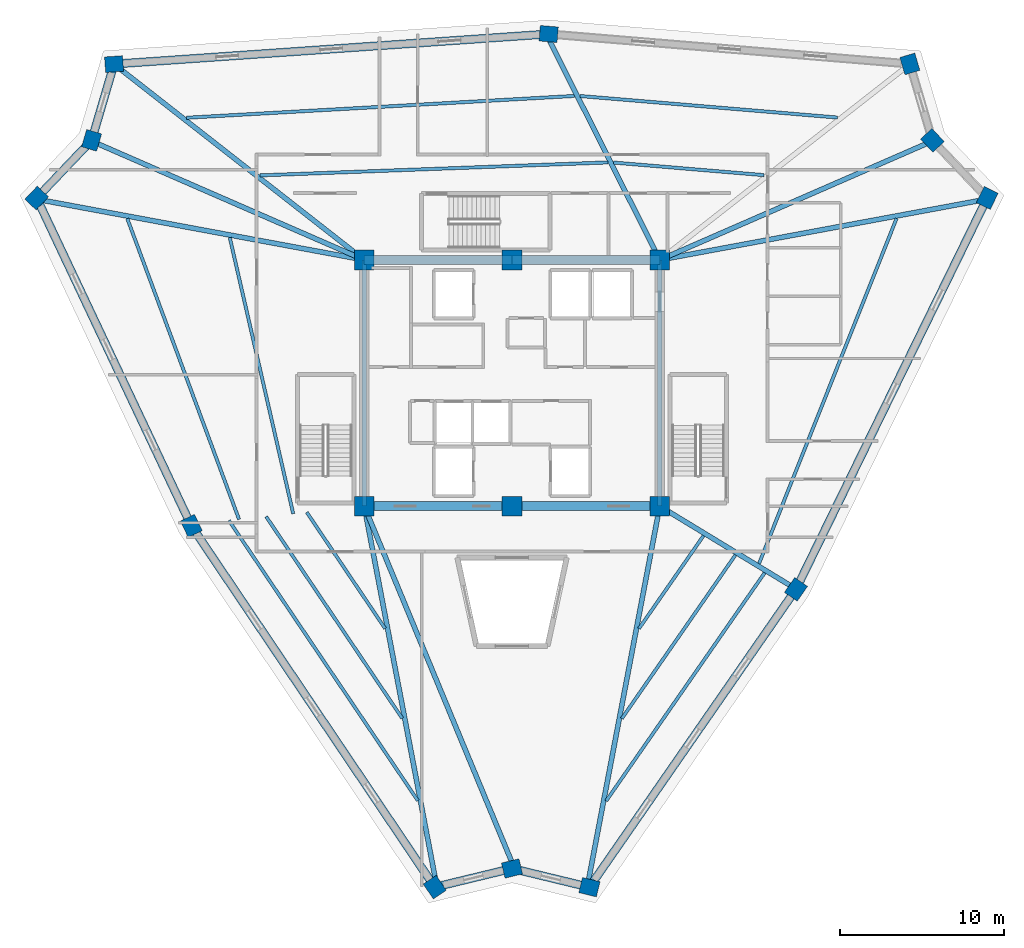
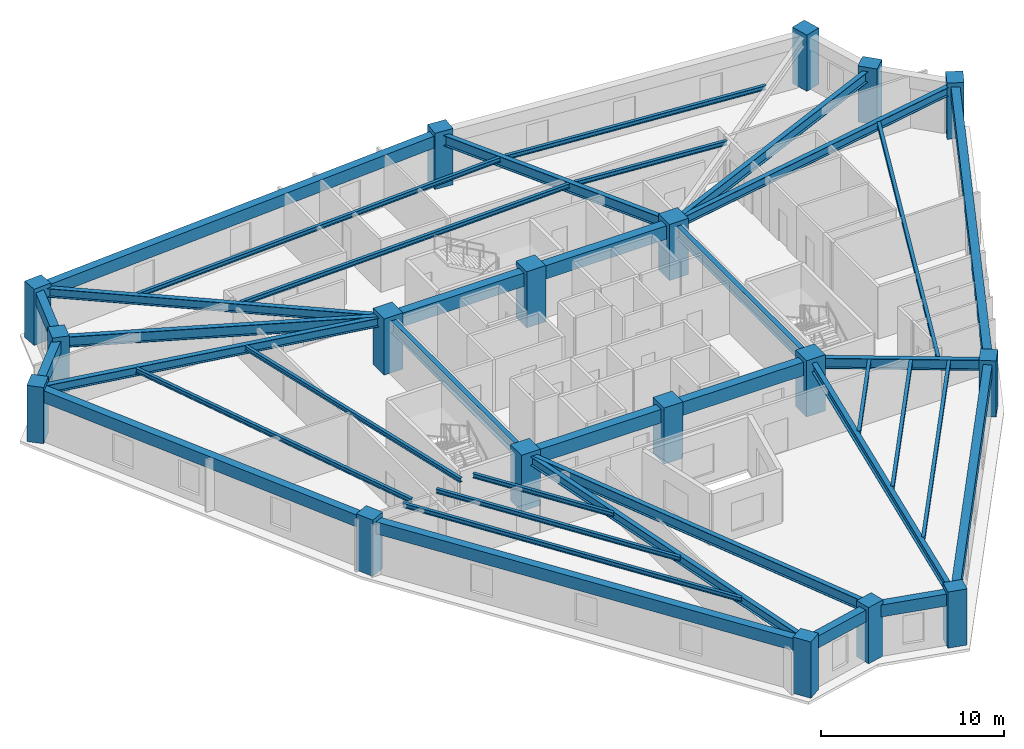
# One storey, part 1 of 8: 38 beams, 18 columns.
"""IFC4 building model written with IfcOpenShell, lengths in metres."""

from ifc_helpers import new_model, si_unit, direction, frame, origin, origin_2d, place, context, subcontext, project, spatial, rectangle, i_section, extrude, source, transform, mapped, material, material_profile, profile_set, type_object, element, save


model = new_model("IFC4")

# Units and contexts
model_context = context("Model", 3, precision=1e-05, world=origin(), true_north=direction((0.0, 1.0)))
body_context = subcontext(model_context, "Body", "Model", "MODEL_VIEW")
ifc_project = project(units=[si_unit("LENGTHUNIT", "METRE"), si_unit("AREAUNIT", "SQUARE_METRE"), si_unit("VOLUMEUNIT", "CUBIC_METRE"), si_unit("PLANEANGLEUNIT", "RADIAN"), si_unit("MASSUNIT", "GRAM", prefix="KILO")], contexts=[model_context])

# Site, building, storey
site_placement = place(None, origin())
site = spatial("IfcSite", under=ifc_project, at=site_placement, CompositionType="ELEMENT")
building_placement = place(site_placement, origin())
building = spatial("IfcBuilding", under=site, at=building_placement, Name="Liaohun Quay Tower", CompositionType="ELEMENT")
storey_placement = place(building_placement, frame((0.0, 0.0, 347.25)))
storey = spatial("IfcBuildingStorey", under=building, at=storey_placement, Name="L90", CompositionType="ELEMENT", Elevation=347.25)

# Columns
ifc_material_1 = material(Name="Concrete C50", Category="concrete")
ifc_material_profile_1 = material_profile(ifc_material_1, rectangle(XDim=1.199951171875, YDim=1.199951171875, at=origin_2d()), Name="RC1200x1200")
ifc_profile_set_1 = profile_set([ifc_material_profile_1], Name="Concrete C50")
column_type_1 = type_object("IfcColumnType", Name="COL-CC-Z4", PredefinedType="COLUMN", material=ifc_profile_set_1)
shared_shape_1 = source(origin(), body_context, "Body", "SweptSolid", [
    extrude(rectangle(XDim=1.199951171875, YDim=1.199951171875, at=origin_2d()), origin(), (0.0, 0.0, 1.0), 3.75),
])
for number, where, z_axis, x_axis, name in (
    (1, (51.0, 46.5, 0.0), (0.0, 0.0, 1.0), (1.0, 0.0, 0.0), "L90 Core Column CC1"),
    (2, (60.0, 46.5, 0.0), (0.0, 0.0, 1.0), (1.0, 0.0, 0.0), "L90 Core Column CC2"),
    (3, (69.0, 46.5, 0.0), (0.0, 0.0, 1.0), (1.0, 0.0, 0.0), "L90 Core Column CC3"),
    (4, (69.0, 61.5, 0.0), (0.0, 0.0, 1.0), (1.0, 0.0, 0.0), "L90 Core Column CC4"),
    (5, (60.0, 61.5, 0.0), (0.0, 0.0, 1.0), (1.0, 0.0, 0.0), "L90 Core Column CC5"),
    (6, (51.0, 61.5, 0.0), (0.0, 0.0, 1.0), (1.0, 0.0, 0.0), "L90 Core Column CC6"),
):
    element("IfcColumn", number, at=place(storey_placement, frame(where, z_axis=z_axis, x_axis=x_axis)), inside=storey, type_object=column_type_1, Name=name, PredefinedType="COLUMN", context=body_context, shape_type="MappedRepresentation", body=[
        mapped(shared_shape_1, transform((0.0, 0.0, 0.0), x_axis=(1.0, 0.0, 0.0), y_axis=(0.0, 1.0, 0.0), z_axis=(0.0, 0.0, 1.0), scale=1.0)),
    ])
ifc_material_profile_2 = material_profile(ifc_material_1, rectangle(XDim=1.10009765625, YDim=0.949951171875, at=origin_2d()), Name="RC1100x950")
ifc_profile_set_2 = profile_set([ifc_material_profile_2], Name="Concrete C50")
column_type_2 = type_object("IfcColumnType", Name="COL-PIER-Z4", PredefinedType="COLUMN", material=ifc_profile_set_2)
shared_shape_2 = source(origin(), body_context, "Body", "SweptSolid", [
    extrude(rectangle(XDim=1.10009765625, YDim=0.949951171875, at=origin_2d()), origin(), (0.0, 0.0, 1.0), 3.75),
])
for number, where, z_axis, x_axis, name in (
    (7, (55.29296875, 23.2939453125, 0.0), (0.0, 0.0, 1.0), (-0.558613989835, 0.829427760785, 0.0), "L90 Perimeter Pier PC01"),
    (8, (40.468994140625, 45.302978515625, 0.0), (0.0, 0.0, 1.0), (-0.426726590606, 0.904380681389, 0.0), "L90 Perimeter Pier PC02"),
    (9, (31.048095703125, 65.27001953125, 0.0), (0.0, 0.0, 1.0), (0.689493141399, 0.724292211723, 0.0), "L90 Perimeter Pier PC03"),
    (10, (34.39306640625, 68.783935546875, 0.0), (0.0, 0.0, 1.0), (0.282676303383, 0.959215360337, 0.0), "L90 Perimeter Pier PC04"),
    (11, (35.761962890625, 73.429931640625, 0.0), (0.0, 0.0, 1.0), (0.997612506361, 0.069060025714, 0.0), "L90 Perimeter Pier PC05"),
    (12, (62.23388671875, 75.262939453125, 0.0), (0.0, 0.0, 1.0), (-0.996579940078, 0.08263427276, 0.0), "L90 Perimeter Pier PC06"),
    (13, (84.235107421875, 73.43798828125, 0.0), (0.0, 0.0, 1.0), (-0.282676303383, 0.959215360337, 0.0), "L90 Perimeter Pier PC07"),
    (14, (85.60693359375, 68.783935546875, 0.0), (0.0, 0.0, 1.0), (-0.689493141399, 0.724292211723, 0.0), "L90 Perimeter Pier PC08"),
    (15, (88.946044921875, 65.27587890625, 0.0), (0.0, 0.0, 1.0), (0.438998516526, 0.898487786499, 0.0), "L90 Perimeter Pier PC09"),
    (16, (77.297119140625, 41.43408203125, 0.0), (0.0, 0.0, 1.0), (0.569853349472, 0.82174640863, 0.0), "L90 Perimeter Pier PC10"),
    (17, (64.715087890625, 23.2919921875, 0.0), (0.0, 0.0, 1.0), (-0.972043021443, 0.234802820391, 0.0), "L90 Perimeter Pier PC11"),
    (18, (60.0, 24.430908203125, 0.0), (0.0, 0.0, 1.0), (0.972043021443, 0.234802820391, 0.0), "L90 Perimeter Pier PC12"),
):
    element("IfcColumn", number, at=place(storey_placement, frame(where, z_axis=z_axis, x_axis=x_axis)), inside=storey, type_object=column_type_2, Name=name, PredefinedType="COLUMN", context=body_context, shape_type="MappedRepresentation", body=[
        mapped(shared_shape_2, transform((0.0, 0.0, 0.0), x_axis=(1.0, 0.0, 0.0), y_axis=(0.0, 1.0, 0.0), z_axis=(0.0, 0.0, 1.0), scale=1.0)),
    ])

# Beams
ifc_material_2 = material(Name="Steel Q355D", Category="steel")
ifc_material_profile_3 = material_profile(ifc_material_2, i_section(OverallWidth=0.300048828125, OverallDepth=0.800048828125, WebThickness=0.013916015625, FlangeThickness=0.02587890625, at=origin_2d()), Name="HN800x300x14x26")
ifc_profile_set_3 = profile_set([ifc_material_profile_3], Name="Steel Q355D")
beam_type_1 = type_object("IfcBeamType", Name="BM-RAD-M1", PredefinedType="BEAM", material=ifc_profile_set_3)
shared_shape_3 = source(origin(), body_context, "Body", "SweptSolid", [
    extrude(i_section(OverallWidth=0.300048828125, OverallDepth=0.800048828125, WebThickness=0.013916015625, FlangeThickness=0.02587890625, at=origin_2d()), origin(), (0.0, 0.0, 1.0), 15.0),
])
for number, where, z_axis, x_axis, name in (
    (19, (69.0, 46.5, 3.070068359375), (0.0, 1.0, 0.0), (-1.0, 0.0, 0.0), "L90 Core Coupling/Ring Beam CC3-CC4"),
    (20, (51.0, 61.5, 3.070068359375), (0.0, -1.0, 0.0), (1.0, 0.0, 0.0), "L90 Core Coupling/Ring Beam CC6-CC1"),
):
    element("IfcBeam", number, at=place(storey_placement, frame(where, z_axis=z_axis, x_axis=x_axis)), inside=storey, type_object=beam_type_1, Name=name, PredefinedType="BEAM", context=body_context, shape_type="MappedRepresentation", body=[
        mapped(shared_shape_3, transform((0.0, 0.0, 0.0), x_axis=(1.0, 0.0, 0.0), y_axis=(0.0, 1.0, 0.0), z_axis=(0.0, 0.0, 1.0), scale=1.0)),
    ])
ifc_material_3 = material(Name="Concrete C55", Category="concrete")
ifc_material_profile_4 = material_profile(ifc_material_3, rectangle(XDim=0.550048828125, YDim=0.89990234375, at=origin_2d()), Name="RC550x900")
ifc_profile_set_4 = profile_set([ifc_material_profile_4], Name="Concrete C55")
beam_type_2 = type_object("IfcBeamType", Name="BM-CPL-2", PredefinedType="LINTEL", material=ifc_profile_set_4)
shared_shape_4 = source(origin(), body_context, "Body", "SweptSolid", [
    extrude(rectangle(XDim=0.550048828125, YDim=0.89990234375, at=origin_2d()), origin(), (0.0, 0.0, 1.0), 9.0),
])
for number, where, z_axis, x_axis, name in (
    (21, (51.0, 46.5, 3.02001953125), (1.0, 0.0, 0.0), (0.0, 1.0, 0.0), "L90 Core Coupling/Ring Beam CC1-CC2"),
    (22, (60.0, 46.5, 3.02001953125), (1.0, 0.0, 0.0), (0.0, 1.0, 0.0), "L90 Core Coupling/Ring Beam CC2-CC3"),
    (23, (69.0, 61.5, 3.02001953125), (-1.0, 0.0, 0.0), (0.0, -1.0, 0.0), "L90 Core Coupling/Ring Beam CC4-CC5"),
    (24, (60.0, 61.5, 3.02001953125), (-1.0, 0.0, 0.0), (0.0, -1.0, 0.0), "L90 Core Coupling/Ring Beam CC5-CC6"),
):
    element("IfcBeam", number, at=place(storey_placement, frame(where, z_axis=z_axis, x_axis=x_axis)), inside=storey, type_object=beam_type_2, Name=name, PredefinedType="LINTEL", context=body_context, shape_type="MappedRepresentation", body=[
        mapped(shared_shape_4, transform((0.0, 0.0, 0.0), x_axis=(1.0, 0.0, 0.0), y_axis=(0.0, 1.0, 0.0), z_axis=(0.0, 0.0, 1.0), scale=1.0)),
    ])
ifc_material_4 = material(Name="Precast concrete C50", Category="concrete")
ifc_material_profile_5 = material_profile(ifc_material_4, rectangle(XDim=0.5, YDim=0.800048828125, at=origin_2d()), Name="RC500x800")
ifc_profile_set_5 = profile_set([ifc_material_profile_5], Name="Precast concrete C50")
beam_type_3 = type_object("IfcBeamType", Name="BM-SPD-Z4", PredefinedType="SPANDREL", material=ifc_profile_set_5)
shared_shape_5 = source(origin(), body_context, "Body", "SweptSolid", [
    extrude(rectangle(XDim=0.5, YDim=0.800048828125, at=origin_2d()), origin(), (0.0, 0.0, 1.0), 26.535888671875),
])
beam_1_placement = place(storey_placement, frame((55.29296875, 23.2939453125, 3.070068359375), z_axis=(-0.558640939792, 0.829409609534, 0.0), x_axis=(-0.829409609534, -0.558640939792, 0.0)))
element("IfcBeam", 25, at=beam_1_placement, inside=storey, type_object=beam_type_3, Name="L90 Precast Spandrel Beam PC01-PC02", PredefinedType="SPANDREL", context=body_context, shape_type="MappedRepresentation", body=[
    mapped(shared_shape_5, transform((0.0, 0.0, 0.0), x_axis=(1.0, 0.0, 0.0), y_axis=(0.0, 1.0, 0.0), z_axis=(0.0, 0.0, 1.0), scale=1.0)),
])
shared_shape_6 = source(origin(), body_context, "Body", "SweptSolid", [
    extrude(rectangle(XDim=0.5, YDim=0.800048828125, at=origin_2d()), origin(), (0.0, 0.0, 1.0), 22.077880859375),
])
beam_2_placement = place(storey_placement, frame((40.468994140625, 45.302978515625, 3.070068359375), z_axis=(-0.426710664555, 0.904388195829, 0.0), x_axis=(-0.904388195829, -0.426710664555, 0.0)))
element("IfcBeam", 26, at=beam_2_placement, inside=storey, type_object=beam_type_3, Name="L90 Precast Spandrel Beam PC02-PC03", PredefinedType="SPANDREL", context=body_context, shape_type="MappedRepresentation", body=[
    mapped(shared_shape_6, transform((0.0, 0.0, 0.0), x_axis=(1.0, 0.0, 0.0), y_axis=(0.0, 1.0, 0.0), z_axis=(0.0, 0.0, 1.0), scale=1.0)),
])
shared_shape_7 = source(origin(), body_context, "Body", "SweptSolid", [
    extrude(rectangle(XDim=0.5, YDim=0.800048828125, at=origin_2d()), origin(), (0.0, 0.0, 1.0), 4.851318359375),
])
beam_3_placement = place(storey_placement, frame((31.048095703125, 65.27001953125, 3.070068359375), z_axis=(0.689480486578, 0.724304258325, 0.0), x_axis=(-0.724304258325, 0.689480486578, 0.0)))
element("IfcBeam", 27, at=beam_3_placement, inside=storey, type_object=beam_type_3, Name="L90 Precast Spandrel Beam PC03-PC04", PredefinedType="SPANDREL", context=body_context, shape_type="MappedRepresentation", body=[
    mapped(shared_shape_7, transform((0.0, 0.0, 0.0), x_axis=(1.0, 0.0, 0.0), y_axis=(0.0, 1.0, 0.0), z_axis=(0.0, 0.0, 1.0), scale=1.0)),
])
shared_shape_8 = source(origin(), body_context, "Body", "SweptSolid", [
    extrude(rectangle(XDim=0.5, YDim=0.800048828125, at=origin_2d()), origin(), (0.0, 0.0, 1.0), 4.843505859375),
])
beam_4_placement = place(storey_placement, frame((34.39306640625, 68.783935546875, 3.070068359375), z_axis=(0.282627491947, 0.95922974349, 0.0), x_axis=(-0.95922974349, 0.282627491947, 0.0)))
element("IfcBeam", 28, at=beam_4_placement, inside=storey, type_object=beam_type_3, Name="L90 Precast Spandrel Beam PC04-PC05", PredefinedType="SPANDREL", context=body_context, shape_type="MappedRepresentation", body=[
    mapped(shared_shape_8, transform((0.0, 0.0, 0.0), x_axis=(1.0, 0.0, 0.0), y_axis=(0.0, 1.0, 0.0), z_axis=(0.0, 0.0, 1.0), scale=1.0)),
])
shared_shape_9 = source(origin(), body_context, "Body", "SweptSolid", [
    extrude(rectangle(XDim=0.5, YDim=0.800048828125, at=origin_2d()), origin(), (0.0, 0.0, 1.0), 26.535400390625),
])
for number, where, z_axis, x_axis, name in (
    (29, (35.761962890625, 73.429931640625, 3.070068359375), (0.997611257543, 0.069078063264, 0.0), (-0.069078063264, 0.997611257543, 0.0), "L90 Precast Spandrel Beam PC05-PC06"),
    (30, (88.946044921875, 65.27587890625, 3.070068359375), (-0.438995268707, -0.898489373367, 0.0), (0.898489373367, -0.438995268707, 0.0), "L90 Precast Spandrel Beam PC09-PC10"),
):
    element("IfcBeam", number, at=place(storey_placement, frame(where, z_axis=z_axis, x_axis=x_axis)), inside=storey, type_object=beam_type_3, Name=name, PredefinedType="SPANDREL", context=body_context, shape_type="MappedRepresentation", body=[
        mapped(shared_shape_9, transform((0.0, 0.0, 0.0), x_axis=(1.0, 0.0, 0.0), y_axis=(0.0, 1.0, 0.0), z_axis=(0.0, 0.0, 1.0), scale=1.0)),
    ])
shared_shape_10 = source(origin(), body_context, "Body", "SweptSolid", [
    extrude(rectangle(XDim=0.5, YDim=0.800048828125, at=origin_2d()), origin(), (0.0, 0.0, 1.0), 22.078125),
])
beam_5_placement = place(storey_placement, frame((77.297119140625, 41.43408203125, 3.070068359375), z_axis=(-0.569887156963, -0.821722963248, 0.0), x_axis=(0.821722963248, -0.569887156963, 0.0)))
element("IfcBeam", 31, at=beam_5_placement, inside=storey, type_object=beam_type_3, Name="L90 Precast Spandrel Beam PC10-PC11", PredefinedType="SPANDREL", context=body_context, shape_type="MappedRepresentation", body=[
    mapped(shared_shape_10, transform((0.0, 0.0, 0.0), x_axis=(1.0, 0.0, 0.0), y_axis=(0.0, 1.0, 0.0), z_axis=(0.0, 0.0, 1.0), scale=1.0)),
])
shared_shape_11 = source(origin(), body_context, "Body", "SweptSolid", [
    extrude(rectangle(XDim=0.5, YDim=0.800048828125, at=origin_2d()), origin(), (0.0, 0.0, 1.0), 4.8505859375),
])
beam_6_placement = place(storey_placement, frame((64.715087890625, 23.2919921875, 3.070068359375), z_axis=(-0.972044985249, 0.234794690425, 0.0), x_axis=(-0.234794690425, -0.972044985249, 0.0)))
element("IfcBeam", 32, at=beam_6_placement, inside=storey, type_object=beam_type_3, Name="L90 Precast Spandrel Beam PC11-PC12", PredefinedType="SPANDREL", context=body_context, shape_type="MappedRepresentation", body=[
    mapped(shared_shape_11, transform((0.0, 0.0, 0.0), x_axis=(1.0, 0.0, 0.0), y_axis=(0.0, 1.0, 0.0), z_axis=(0.0, 0.0, 1.0), scale=1.0)),
])
shared_shape_12 = source(origin(), body_context, "Body", "SweptSolid", [
    extrude(rectangle(XDim=0.5, YDim=0.800048828125, at=origin_2d()), origin(), (0.0, 0.0, 1.0), 4.84228515625),
])
beam_7_placement = place(storey_placement, frame((60.0, 24.430908203125, 3.070068359375), z_axis=(-0.972045318303, -0.234793311584, 0.0), x_axis=(0.234793311584, -0.972045318303, 0.0)))
element("IfcBeam", 33, at=beam_7_placement, inside=storey, type_object=beam_type_3, Name="L90 Precast Spandrel Beam PC12-PC01", PredefinedType="SPANDREL", context=body_context, shape_type="MappedRepresentation", body=[
    mapped(shared_shape_12, transform((0.0, 0.0, 0.0), x_axis=(1.0, 0.0, 0.0), y_axis=(0.0, 1.0, 0.0), z_axis=(0.0, 0.0, 1.0), scale=1.0)),
])
ifc_material_profile_6 = material_profile(ifc_material_2, i_section(OverallWidth=0.300048828125, OverallDepth=0.587890625, WebThickness=0.011962890625, FlangeThickness=0.02001953125, at=origin_2d()), Name="HM588x300x12x20")
ifc_profile_set_6 = profile_set([ifc_material_profile_6], Name="Steel Q355D")
beam_type_4 = type_object("IfcBeamType", Name="BM-RAD-U2", PredefinedType="BEAM", material=ifc_profile_set_6)
shared_shape_13 = source(origin(), body_context, "Body", "SweptSolid", [
    extrude(i_section(OverallWidth=0.300048828125, OverallDepth=0.587890625, WebThickness=0.011962890625, FlangeThickness=0.02001953125, at=origin_2d()), origin(), (0.0, 0.0, 1.0), 23.233642578125),
])
beam_8_placement = place(storey_placement, frame((51.0, 46.5, 3.176025390625), z_axis=(0.187400853189, -0.982283523339, 0.0), x_axis=(0.982283523339, 0.187400853189, 0.0)))
element("IfcBeam", 34, at=beam_8_placement, inside=storey, type_object=beam_type_4, Name="L90 Radial Primary Girder CC1-PC01", PredefinedType="BEAM", context=body_context, shape_type="MappedRepresentation", body=[
    mapped(shared_shape_13, transform((0.0, 0.0, 0.0), x_axis=(1.0, 0.0, 0.0), y_axis=(0.0, 1.0, 0.0), z_axis=(0.0, 0.0, 1.0), scale=1.0)),
])
shared_shape_14 = source(origin(), body_context, "Body", "SweptSolid", [
    extrude(i_section(OverallWidth=0.300048828125, OverallDepth=0.587890625, WebThickness=0.011962890625, FlangeThickness=0.02001953125, at=origin_2d()), origin(), (0.0, 0.0, 1.0), 19.9228515625),
])
beam_9_placement = place(storey_placement, frame((51.0, 61.5, 3.176025390625), z_axis=(-0.983250623213, 0.182258640266, 0.0), x_axis=(-0.182258640266, -0.983250623213, 0.0)))
element("IfcBeam", 35, at=beam_9_placement, inside=storey, type_object=beam_type_4, Name="L90 Radial Primary Girder CC6-PC03", PredefinedType="BEAM", context=body_context, shape_type="MappedRepresentation", body=[
    mapped(shared_shape_14, transform((0.0, 0.0, 0.0), x_axis=(1.0, 0.0, 0.0), y_axis=(0.0, 1.0, 0.0), z_axis=(0.0, 0.0, 1.0), scale=1.0)),
])
ifc_material_profile_7 = material_profile(ifc_material_2, i_section(OverallWidth=0.300048828125, OverallDepth=0.699951171875, WebThickness=0.012939453125, FlangeThickness=0.02392578125, at=origin_2d()), Name="HN700x300x13x24")
ifc_profile_set_7 = profile_set([ifc_material_profile_7], Name="Steel Q355D")
beam_type_5 = type_object("IfcBeamType", Name="BM-RAD-U1", PredefinedType="BEAM", material=ifc_profile_set_7)
shared_shape_15 = source(origin(), body_context, "Body", "SweptSolid", [
    extrude(i_section(OverallWidth=0.300048828125, OverallDepth=0.699951171875, WebThickness=0.012939453125, FlangeThickness=0.02392578125, at=origin_2d()), origin(), (0.0, 0.0, 1.0), 17.768310546875),
])
for number, where, z_axis, x_axis, name in (
    (36, (51.0, 61.5, 3.1201171875), (-0.916692609329, 0.39959311806, 0.0), (-0.39959311806, -0.916692609329, 0.0), "L90 Radial Primary Girder CC6-PC04"),
    (37, (69.0, 61.5, 3.1201171875), (0.916692609329, 0.39959311806, 0.0), (-0.39959311806, 0.916692609329, 0.0), "L90 Radial Primary Girder CC4-PC08"),
):
    element("IfcBeam", number, at=place(storey_placement, frame(where, z_axis=z_axis, x_axis=x_axis)), inside=storey, type_object=beam_type_5, Name=name, PredefinedType="BEAM", context=body_context, shape_type="MappedRepresentation", body=[
        mapped(shared_shape_15, transform((0.0, 0.0, 0.0), x_axis=(1.0, 0.0, 0.0), y_axis=(0.0, 1.0, 0.0), z_axis=(0.0, 0.0, 1.0), scale=1.0)),
    ])
shared_shape_16 = source(origin(), body_context, "Body", "SweptSolid", [
    extrude(i_section(OverallWidth=0.300048828125, OverallDepth=0.587890625, WebThickness=0.011962890625, FlangeThickness=0.02001953125, at=origin_2d()), origin(), (0.0, 0.0, 1.0), 18.964599609375),
])
beam_10_placement = place(storey_placement, frame((51.0, 61.5, 3.176025390625), z_axis=(-0.787627231061, 0.616152046894, 0.0), x_axis=(-0.616152046894, -0.787627231061, 0.0)))
element("IfcBeam", 38, at=beam_10_placement, inside=storey, type_object=beam_type_4, Name="L90 Radial Primary Girder CC6-PC05", PredefinedType="BEAM", context=body_context, shape_type="MappedRepresentation", body=[
    mapped(shared_shape_16, transform((0.0, 0.0, 0.0), x_axis=(1.0, 0.0, 0.0), y_axis=(0.0, 1.0, 0.0), z_axis=(0.0, 0.0, 1.0), scale=1.0)),
])
shared_shape_17 = source(origin(), body_context, "Body", "SweptSolid", [
    extrude(i_section(OverallWidth=0.300048828125, OverallDepth=0.699951171875, WebThickness=0.012939453125, FlangeThickness=0.02392578125, at=origin_2d()), origin(), (0.0, 0.0, 1.0), 15.124267578125),
])
beam_11_placement = place(storey_placement, frame((69.0, 61.5, 3.1201171875), z_axis=(-0.449143171983, 0.893459798234, 0.0), x_axis=(-0.893459798234, -0.449143171983, 0.0)))
element("IfcBeam", 39, at=beam_11_placement, inside=storey, type_object=beam_type_5, Name="L90 Radial Primary Girder CC4-PC06", PredefinedType="BEAM", context=body_context, shape_type="MappedRepresentation", body=[
    mapped(shared_shape_17, transform((0.0, 0.0, 0.0), x_axis=(1.0, 0.0, 0.0), y_axis=(0.0, 1.0, 0.0), z_axis=(0.0, 0.0, 1.0), scale=1.0)),
])
shared_shape_18 = source(origin(), body_context, "Body", "SweptSolid", [
    extrude(i_section(OverallWidth=0.300048828125, OverallDepth=0.587890625, WebThickness=0.011962890625, FlangeThickness=0.02001953125, at=origin_2d()), origin(), (0.0, 0.0, 1.0), 19.91796875),
])
beam_12_placement = place(storey_placement, frame((69.0, 61.5, 3.176025390625), z_axis=(0.983187667258, 0.182597948925, 0.0), x_axis=(-0.182597948925, 0.983187667258, 0.0)))
element("IfcBeam", 40, at=beam_12_placement, inside=storey, type_object=beam_type_4, Name="L90 Radial Primary Girder CC4-PC09", PredefinedType="BEAM", context=body_context, shape_type="MappedRepresentation", body=[
    mapped(shared_shape_18, transform((0.0, 0.0, 0.0), x_axis=(1.0, 0.0, 0.0), y_axis=(0.0, 1.0, 0.0), z_axis=(0.0, 0.0, 1.0), scale=1.0)),
])
shared_shape_19 = source(origin(), body_context, "Body", "SweptSolid", [
    extrude(i_section(OverallWidth=0.300048828125, OverallDepth=0.699951171875, WebThickness=0.012939453125, FlangeThickness=0.02392578125, at=origin_2d()), origin(), (0.0, 0.0, 1.0), 9.4716796875),
])
beam_13_placement = place(storey_placement, frame((69.0, 46.5, 3.1201171875), z_axis=(0.854639241028, -0.519222271956, 0.0), x_axis=(0.519222271956, 0.854639241028, 0.0)))
element("IfcBeam", 41, at=beam_13_placement, inside=storey, type_object=beam_type_5, Name="L90 Radial Primary Girder CC3-PC10", PredefinedType="BEAM", context=body_context, shape_type="MappedRepresentation", body=[
    mapped(shared_shape_19, transform((0.0, 0.0, 0.0), x_axis=(1.0, 0.0, 0.0), y_axis=(0.0, 1.0, 0.0), z_axis=(0.0, 0.0, 1.0), scale=1.0)),
])
shared_shape_20 = source(origin(), body_context, "Body", "SweptSolid", [
    extrude(i_section(OverallWidth=0.300048828125, OverallDepth=0.587890625, WebThickness=0.011962890625, FlangeThickness=0.02001953125, at=origin_2d()), origin(), (0.0, 0.0, 1.0), 23.23388671875),
])
beam_14_placement = place(storey_placement, frame((69.0, 46.5, 3.176025390625), z_axis=(-0.187010223327, -0.982357967531, 0.0), x_axis=(0.982357967531, -0.187010223327, 0.0)))
element("IfcBeam", 42, at=beam_14_placement, inside=storey, type_object=beam_type_4, Name="L90 Radial Primary Girder CC3-PC11", PredefinedType="BEAM", context=body_context, shape_type="MappedRepresentation", body=[
    mapped(shared_shape_20, transform((0.0, 0.0, 0.0), x_axis=(1.0, 0.0, 0.0), y_axis=(0.0, 1.0, 0.0), z_axis=(0.0, 0.0, 1.0), scale=1.0)),
])
shared_shape_21 = source(origin(), body_context, "Body", "SweptSolid", [
    extrude(i_section(OverallWidth=0.300048828125, OverallDepth=0.699951171875, WebThickness=0.012939453125, FlangeThickness=0.02392578125, at=origin_2d()), origin(), (0.0, 0.0, 1.0), 23.4931640625),
])
beam_15_placement = place(storey_placement, frame((51.0, 46.5, 3.1201171875), z_axis=(0.383089637916, -0.923711172024, 0.0), x_axis=(0.923711172024, 0.383089637916, 0.0)))
element("IfcBeam", 43, at=beam_15_placement, inside=storey, type_object=beam_type_5, Name="L90 Radial Primary Girder CC1-PC12", PredefinedType="BEAM", context=body_context, shape_type="MappedRepresentation", body=[
    mapped(shared_shape_21, transform((0.0, 0.0, 0.0), x_axis=(1.0, 0.0, 0.0), y_axis=(0.0, 1.0, 0.0), z_axis=(0.0, 0.0, 1.0), scale=1.0)),
])
ifc_material_profile_8 = material_profile(ifc_material_2, i_section(OverallWidth=0.199951171875, OverallDepth=0.2939453125, WebThickness=0.008056640625, FlangeThickness=0.011962890625, at=origin_2d()), Name="HM294x200x8x12")
ifc_profile_set_8 = profile_set([ifc_material_profile_8], Name="Steel Q355D")
beam_type_6 = type_object("IfcBeamType", Name="BM-SEC-J4", PredefinedType="JOIST", material=ifc_profile_set_8)
shared_shape_22 = source(origin(), body_context, "Body", "SweptSolid", [
    extrude(i_section(OverallWidth=0.199951171875, OverallDepth=0.2939453125, WebThickness=0.008056640625, FlangeThickness=0.011962890625, at=origin_2d()), origin(), (0.0, 0.0, 1.0), 8.52978515625),
])
beam_16_placement = place(storey_placement, frame((52.26708984375, 39.055908203125, 3.322998046875), z_axis=(-0.559104607918, 0.829097121817, 0.0), x_axis=(-0.829097121817, -0.559104607918, 0.0)))
element("IfcBeam", 44, at=beam_16_placement, inside=storey, type_object=beam_type_6, Name="L90 Wing Secondary Floor Joist SJ-01", PredefinedType="JOIST", context=body_context, shape_type="MappedRepresentation", body=[
    mapped(shared_shape_22, transform((0.0, 0.0, 0.0), x_axis=(1.0, 0.0, 0.0), y_axis=(0.0, 1.0, 0.0), z_axis=(0.0, 0.0, 1.0), scale=1.0)),
])
shared_shape_23 = source(origin(), body_context, "Body", "SweptSolid", [
    extrude(i_section(OverallWidth=0.199951171875, OverallDepth=0.2939453125, WebThickness=0.008056640625, FlangeThickness=0.011962890625, at=origin_2d()), origin(), (0.0, 0.0, 1.0), 14.819580078125),
])
beam_17_placement = place(storey_placement, frame((53.31201171875, 33.5791015625, 3.322998046875), z_axis=(-0.559200918923, 0.829032166008, 0.0), x_axis=(-0.829032166008, -0.559200918923, 0.0)))
element("IfcBeam", 45, at=beam_17_placement, inside=storey, type_object=beam_type_6, Name="L90 Wing Secondary Floor Joist SJ-02", PredefinedType="JOIST", context=body_context, shape_type="MappedRepresentation", body=[
    mapped(shared_shape_23, transform((0.0, 0.0, 0.0), x_axis=(1.0, 0.0, 0.0), y_axis=(0.0, 1.0, 0.0), z_axis=(0.0, 0.0, 1.0), scale=1.0)),
])
shared_shape_24 = source(origin(), body_context, "Body", "SweptSolid", [
    extrude(i_section(OverallWidth=0.199951171875, OverallDepth=0.2939453125, WebThickness=0.008056640625, FlangeThickness=0.011962890625, at=origin_2d()), origin(), (0.0, 0.0, 1.0), 20.585205078125),
])
beam_18_placement = place(storey_placement, frame((54.27001953125, 28.55810546875, 3.322998046875), z_axis=(-0.559188873845, 0.829040290558, 0.0), x_axis=(-0.829040290558, -0.559188873845, 0.0)))
element("IfcBeam", 46, at=beam_18_placement, inside=storey, type_object=beam_type_6, Name="L90 Wing Secondary Floor Joist SJ-03", PredefinedType="JOIST", context=body_context, shape_type="MappedRepresentation", body=[
    mapped(shared_shape_24, transform((0.0, 0.0, 0.0), x_axis=(1.0, 0.0, 0.0), y_axis=(0.0, 1.0, 0.0), z_axis=(0.0, 0.0, 1.0), scale=1.0)),
])
shared_shape_25 = source(origin(), body_context, "Body", "SweptSolid", [
    extrude(i_section(OverallWidth=0.199951171875, OverallDepth=0.2939453125, WebThickness=0.008056640625, FlangeThickness=0.011962890625, at=origin_2d()), origin(), (0.0, 0.0, 1.0), 17.26416015625),
])
beam_19_placement = place(storey_placement, frame((46.674072265625, 46.0400390625, 3.322998046875), z_axis=(-0.223874094607, 0.974618073793, 0.0), x_axis=(-0.974618073793, -0.223874094607, 0.0)))
element("IfcBeam", 47, at=beam_19_placement, inside=storey, type_object=beam_type_6, Name="L90 Wing Secondary Floor Joist SJ-04", PredefinedType="JOIST", context=body_context, shape_type="MappedRepresentation", body=[
    mapped(shared_shape_25, transform((0.0, 0.0, 0.0), x_axis=(1.0, 0.0, 0.0), y_axis=(0.0, 1.0, 0.0), z_axis=(0.0, 0.0, 1.0), scale=1.0)),
])
shared_shape_26 = source(origin(), body_context, "Body", "SweptSolid", [
    extrude(i_section(OverallWidth=0.199951171875, OverallDepth=0.2939453125, WebThickness=0.008056640625, FlangeThickness=0.011962890625, at=origin_2d()), origin(), (0.0, 0.0, 1.0), 19.5576171875),
])
beam_20_placement = place(storey_placement, frame((43.376953125, 45.68994140625, 3.322998046875), z_axis=(-0.348303746333, 0.937381726028, 0.0), x_axis=(-0.937381726028, -0.348303746333, 0.0)))
element("IfcBeam", 48, at=beam_20_placement, inside=storey, type_object=beam_type_6, Name="L90 Wing Secondary Floor Joist SJ-05", PredefinedType="JOIST", context=body_context, shape_type="MappedRepresentation", body=[
    mapped(shared_shape_26, transform((0.0, 0.0, 0.0), x_axis=(1.0, 0.0, 0.0), y_axis=(0.0, 1.0, 0.0), z_axis=(0.0, 0.0, 1.0), scale=1.0)),
])
shared_shape_27 = source(origin(), body_context, "Body", "SweptSolid", [
    extrude(i_section(OverallWidth=0.199951171875, OverallDepth=0.2939453125, WebThickness=0.008056640625, FlangeThickness=0.011962890625, at=origin_2d()), origin(), (0.0, 0.0, 1.0), 21.20068359375),
])
beam_21_placement = place(storey_placement, frame((44.659912109375, 66.64990234375, 3.322998046875), z_axis=(0.999305431469, 0.037264656667, 0.0), x_axis=(-0.037264656667, 0.999305431469, 0.0)))
element("IfcBeam", 49, at=beam_21_placement, inside=storey, type_object=beam_type_6, Name="L90 Wing Secondary Floor Joist SJ-06", PredefinedType="JOIST", context=body_context, shape_type="MappedRepresentation", body=[
    mapped(shared_shape_27, transform((0.0, 0.0, 0.0), x_axis=(1.0, 0.0, 0.0), y_axis=(0.0, 1.0, 0.0), z_axis=(0.0, 0.0, 1.0), scale=1.0)),
])
shared_shape_28 = source(origin(), body_context, "Body", "SweptSolid", [
    extrude(i_section(OverallWidth=0.199951171875, OverallDepth=0.2939453125, WebThickness=0.008056640625, FlangeThickness=0.011962890625, at=origin_2d()), origin(), (0.0, 0.0, 1.0), 23.67333984375),
])
beam_22_placement = place(storey_placement, frame((40.174072265625, 70.159912109375, 3.322998046875), z_axis=(0.998420400891, 0.056184544886, 0.0), x_axis=(-0.056184544886, 0.998420400891, 0.0)))
element("IfcBeam", 50, at=beam_22_placement, inside=storey, type_object=beam_type_6, Name="L90 Wing Secondary Floor Joist SJ-07", PredefinedType="JOIST", context=body_context, shape_type="MappedRepresentation", body=[
    mapped(shared_shape_28, transform((0.0, 0.0, 0.0), x_axis=(1.0, 0.0, 0.0), y_axis=(0.0, 1.0, 0.0), z_axis=(0.0, 0.0, 1.0), scale=1.0)),
])
shared_shape_29 = source(origin(), body_context, "Body", "SweptSolid", [
    extrude(i_section(OverallWidth=0.199951171875, OverallDepth=0.2939453125, WebThickness=0.008056640625, FlangeThickness=0.011962890625, at=origin_2d()), origin(), (0.0, 0.0, 1.0), 9.197021484375),
])
beam_23_placement = place(storey_placement, frame((66.18603515625, 67.430908203125, 3.322998046875), z_axis=(0.996517875298, -0.083379399209, 0.0), x_axis=(0.083379399209, 0.996517875298, 0.0)))
element("IfcBeam", 51, at=beam_23_placement, inside=storey, type_object=beam_type_6, Name="L90 Wing Secondary Floor Joist SJ-08", PredefinedType="JOIST", context=body_context, shape_type="MappedRepresentation", body=[
    mapped(shared_shape_29, transform((0.0, 0.0, 0.0), x_axis=(1.0, 0.0, 0.0), y_axis=(0.0, 1.0, 0.0), z_axis=(0.0, 0.0, 1.0), scale=1.0)),
])
shared_shape_30 = source(origin(), body_context, "Body", "SweptSolid", [
    extrude(i_section(OverallWidth=0.199951171875, OverallDepth=0.2939453125, WebThickness=0.008056640625, FlangeThickness=0.011962890625, at=origin_2d()), origin(), (0.0, 0.0, 1.0), 15.738037109375),
])
beam_24_placement = place(storey_placement, frame((64.14794921875, 71.485107421875, 3.322998046875), z_axis=(0.996513803248, -0.083428052459, 0.0), x_axis=(0.083428052459, 0.996513803248, 0.0)))
element("IfcBeam", 52, at=beam_24_placement, inside=storey, type_object=beam_type_6, Name="L90 Wing Secondary Floor Joist SJ-09", PredefinedType="JOIST", context=body_context, shape_type="MappedRepresentation", body=[
    mapped(shared_shape_30, transform((0.0, 0.0, 0.0), x_axis=(1.0, 0.0, 0.0), y_axis=(0.0, 1.0, 0.0), z_axis=(0.0, 0.0, 1.0), scale=1.0)),
])
shared_shape_31 = source(origin(), body_context, "Body", "SweptSolid", [
    extrude(i_section(OverallWidth=0.199951171875, OverallDepth=0.2939453125, WebThickness=0.008056640625, FlangeThickness=0.011962890625, at=origin_2d()), origin(), (0.0, 0.0, 1.0), 22.63330078125),
])
beam_25_placement = place(storey_placement, frame((83.426025390625, 64.027099609375, 3.322998046875), z_axis=(-0.37020382237, -0.928950552991, 0.0), x_axis=(0.928950552991, -0.37020382237, 0.0)))
element("IfcBeam", 53, at=beam_25_placement, inside=storey, type_object=beam_type_6, Name="L90 Wing Secondary Floor Joist SJ-11", PredefinedType="JOIST", context=body_context, shape_type="MappedRepresentation", body=[
    mapped(shared_shape_31, transform((0.0, 0.0, 0.0), x_axis=(1.0, 0.0, 0.0), y_axis=(0.0, 1.0, 0.0), z_axis=(0.0, 0.0, 1.0), scale=1.0)),
])
shared_shape_32 = source(origin(), body_context, "Body", "SweptSolid", [
    extrude(i_section(OverallWidth=0.199951171875, OverallDepth=0.2939453125, WebThickness=0.008056640625, FlangeThickness=0.011962890625, at=origin_2d()), origin(), (0.0, 0.0, 1.0), 6.893798828125),
])
beam_26_placement = place(storey_placement, frame((71.6669921875, 44.7041015625, 3.322998046875), z_axis=(-0.57066390178, -0.821183725609, 0.0), x_axis=(0.821183725609, -0.57066390178, 0.0)))
element("IfcBeam", 54, at=beam_26_placement, inside=storey, type_object=beam_type_6, Name="L90 Wing Secondary Floor Joist SJ-12", PredefinedType="JOIST", context=body_context, shape_type="MappedRepresentation", body=[
    mapped(shared_shape_32, transform((0.0, 0.0, 0.0), x_axis=(1.0, 0.0, 0.0), y_axis=(0.0, 1.0, 0.0), z_axis=(0.0, 0.0, 1.0), scale=1.0)),
])
shared_shape_33 = source(origin(), body_context, "Body", "SweptSolid", [
    extrude(i_section(OverallWidth=0.199951171875, OverallDepth=0.2939453125, WebThickness=0.008056640625, FlangeThickness=0.011962890625, at=origin_2d()), origin(), (0.0, 0.0, 1.0), 12.12646484375),
])
beam_27_placement = place(storey_placement, frame((73.60888671875, 43.52392578125, 3.322998046875), z_axis=(-0.570561806474, -0.821254665127, 0.0), x_axis=(0.821254665127, -0.570561806474, 0.0)))
element("IfcBeam", 55, at=beam_27_placement, inside=storey, type_object=beam_type_6, Name="L90 Wing Secondary Floor Joist SJ-13", PredefinedType="JOIST", context=body_context, shape_type="MappedRepresentation", body=[
    mapped(shared_shape_33, transform((0.0, 0.0, 0.0), x_axis=(1.0, 0.0, 0.0), y_axis=(0.0, 1.0, 0.0), z_axis=(0.0, 0.0, 1.0), scale=1.0)),
])
shared_shape_34 = source(origin(), body_context, "Body", "SweptSolid", [
    extrude(i_section(OverallWidth=0.199951171875, OverallDepth=0.2939453125, WebThickness=0.008056640625, FlangeThickness=0.011962890625, at=origin_2d()), origin(), (0.0, 0.0, 1.0), 16.923095703125),
])
beam_28_placement = place(storey_placement, frame((75.389892578125, 42.44189453125, 3.322998046875), z_axis=(-0.570581258811, -0.82124115039, 0.0), x_axis=(0.82124115039, -0.570581258811, 0.0)))
element("IfcBeam", 56, at=beam_28_placement, inside=storey, type_object=beam_type_6, Name="L90 Wing Secondary Floor Joist SJ-14", PredefinedType="JOIST", context=body_context, shape_type="MappedRepresentation", body=[
    mapped(shared_shape_34, transform((0.0, 0.0, 0.0), x_axis=(1.0, 0.0, 0.0), y_axis=(0.0, 1.0, 0.0), z_axis=(0.0, 0.0, 1.0), scale=1.0)),
])

save(model, "model.ifc")
